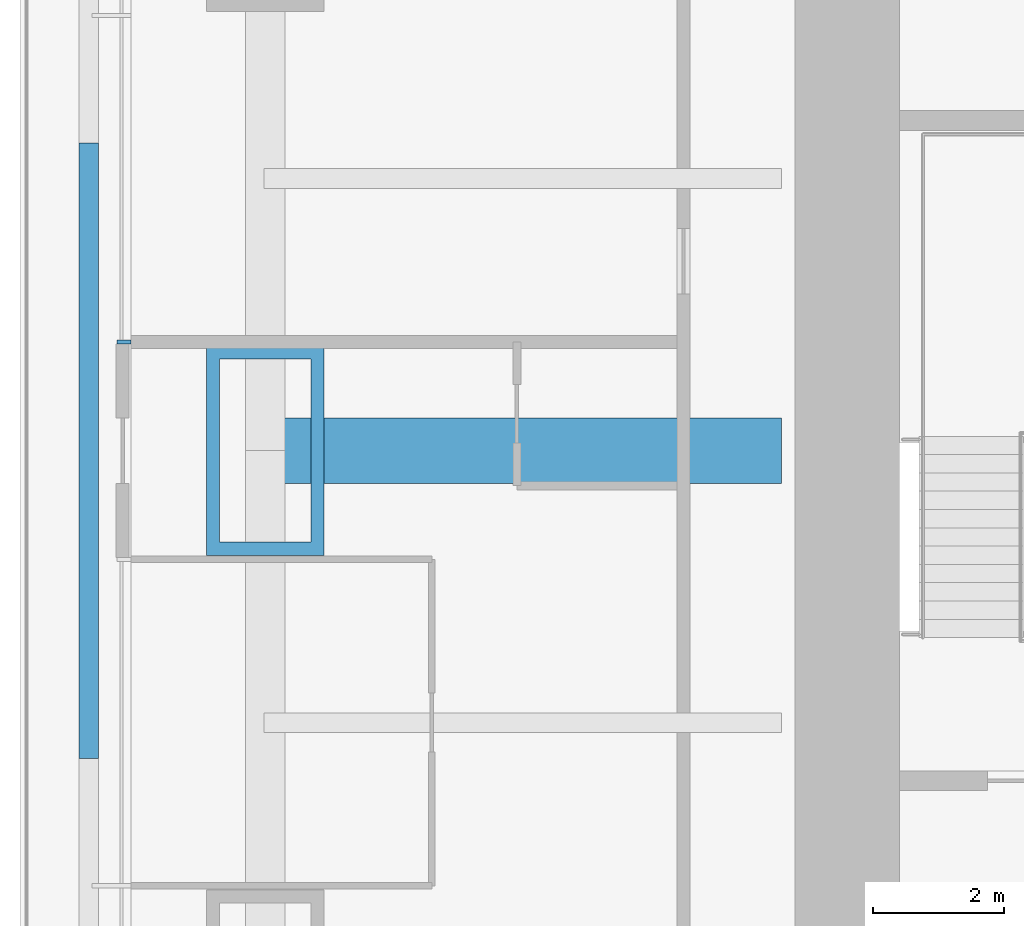
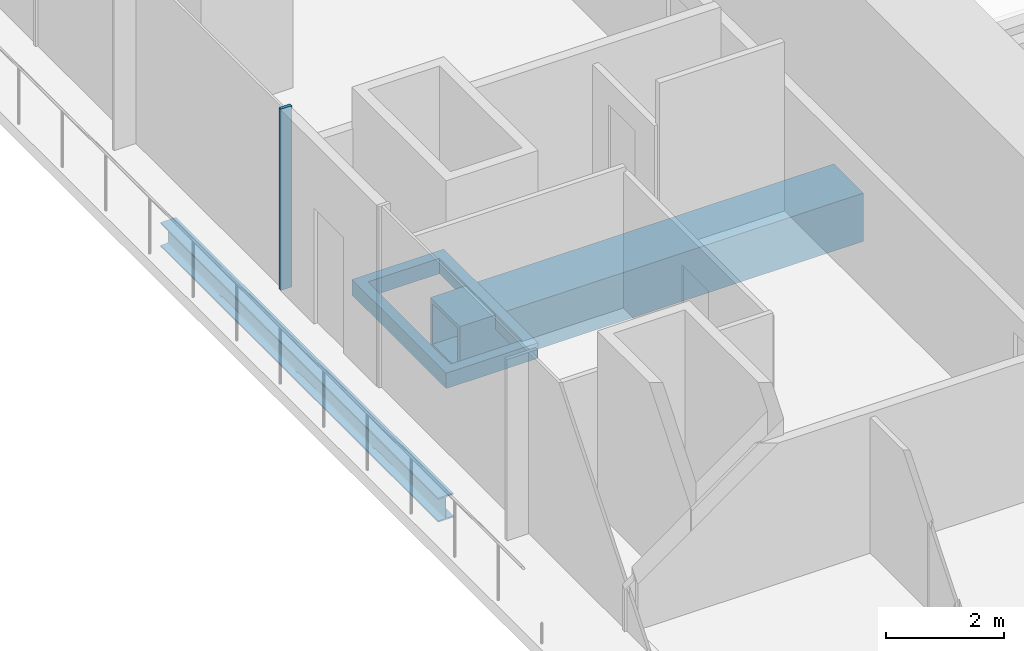
# One storey, part 3 of 15: 3 members, 1 beam, 1 element without a shape of its own.
"""IFC4 building model written with IfcOpenShell, lengths in metres."""

from ifc_helpers import new_model, si_unit, direction, frame, origin, origin_2d, place, context, subcontext, project, spatial, rectangle, hollow_rectangle, i_section, extrude, material, material_profile, profile_set, type_object, element, aggregate, save


model = new_model("IFC4")

# Units and contexts
model_context = context("Model", 3, precision=1e-05, world=origin(), true_north=direction((0.0, 1.0)))
body_context = subcontext(model_context, "Body", "Model", "MODEL_VIEW")
ifc_project = project(units=[si_unit("LENGTHUNIT", "METRE"), si_unit("AREAUNIT", "SQUARE_METRE"), si_unit("VOLUMEUNIT", "CUBIC_METRE"), si_unit("PLANEANGLEUNIT", "RADIAN"), si_unit("MASSUNIT", "GRAM", prefix="KILO")], contexts=[model_context])

# Site, building, storey
site_placement = place(None, origin())
site = spatial("IfcSite", under=ifc_project, at=site_placement, CompositionType="ELEMENT")
building_placement = place(site_placement, origin())
building = spatial("IfcBuilding", under=site, at=building_placement, Name="Khuree Lantern Residences", CompositionType="ELEMENT")
storey_placement = place(building_placement, frame((0.0, 0.0, 199.5)))
storey = spatial("IfcBuildingStorey", under=building, at=storey_placement, Name="L49", CompositionType="ELEMENT", Elevation=199.5)

# Curtain wall, member
ifc_material_1 = material(Name="Bronze anodised aluminium", Category="aluminium")
curtain_wall_type = type_object("IfcCurtainWallType", Name="CW-T1 TOWER FACE CURTAIN WALL", PredefinedType="USERDEFINED", material=ifc_material_1)
curtain_wall_placement = place(storey_placement, origin())
curtain_wall = element("IfcCurtainWall", 1, at=curtain_wall_placement, inside=storey, type_object=curtain_wall_type, Name="L49 WEST FACE CURTAIN WALL", ObjectType="Stick-built curtain wall", PredefinedType="USERDEFINED")
ifc_material_profile_1 = material_profile(ifc_material_1, rectangle(XDim=0.06494140625, YDim=0.219970703125, at=origin_2d()), Name="M1 65X220")
ifc_profile_set_1 = profile_set([ifc_material_profile_1], Name="Bronze anodised aluminium")
member_type_1 = type_object("IfcMemberType", Name="M1 BRONZE MULLION TOWER 65X220", PredefinedType="MULLION", material=ifc_profile_set_1)
member_1_placement = place(storey_placement, frame((-26.56005859375, 1.6640625, 0.0), z_axis=(0.0, 0.0, 1.0), x_axis=(0.0, -1.0, 0.0)))
member_1 = element("IfcMember", 2, at=member_1_placement, type_object=member_type_1, Name="L49 WEST FACE MULLION 37", PredefinedType="MULLION", context=body_context, shape_type="SweptSolid", body=[
    extrude(rectangle(XDim=0.06494140625, YDim=0.219970703125, at=origin_2d()), origin(), (0.0, 0.0, 1.0), 3.75),
])
aggregate(curtain_wall, [member_1])

# Members
ifc_material_2 = material(Name="Steel S355 CFT welded box", Category="steel")
ifc_material_profile_2 = material_profile(ifc_material_2, hollow_rectangle(XDim=3.199951171875, YDim=1.800048828125, WallThickness=0.199951171875, at=origin_2d()), Name="WELDED BOX 3200X1800X200")
ifc_profile_set_2 = profile_set([ifc_material_profile_2], Name="Steel S355 CFT welded box")
member_type_2 = type_object("IfcMemberType", Name="MN MEGA COLUMN NODE WELDED BOX 3200X1800X200", PredefinedType="MEMBER", material=ifc_profile_set_2)
member_2_placement = place(storey_placement, frame((-24.39990234375, 0.0, -0.550048828125), z_axis=(0.0, 0.0, 1.0), x_axis=(0.0, 1.0, 0.0)))
element("IfcMember", 3, at=member_2_placement, inside=storey, type_object=member_type_2, Name="Mega column node W3", PredefinedType="MEMBER", context=body_context, shape_type="SweptSolid", body=[
    extrude(hollow_rectangle(XDim=3.199951171875, YDim=1.800048828125, WallThickness=0.199951171875, at=origin_2d()), origin(), (0.0, 0.0, 1.0), 0.320068359375),
])
ifc_material_3 = material(Name="Steel S355", Category="steel")
ifc_material_profile_3 = material_profile(ifc_material_3, hollow_rectangle(XDim=1.0, YDim=1.0, WallThickness=0.080078125, at=origin_2d()), Name="WELDED BOX 1000X1000X80")
ifc_profile_set_3 = profile_set([ifc_material_profile_3], Name="Steel S355")
member_type_3 = type_object("IfcMemberType", Name="OT-49 OUTRIGGER TRUSS CHORD WELDED BOX 1000X1000X80", PredefinedType="CHORD", material=ifc_profile_set_3)
member_3_placement = place(storey_placement, frame((-24.39990234375, 0.0, -0.75), z_axis=(1.0, 0.0, 0.0), x_axis=(0.0, 1.0, 0.0)))
element("IfcMember", 4, at=member_3_placement, inside=storey, type_object=member_type_3, Name="Outrigger chord W3", PredefinedType="CHORD", context=body_context, shape_type="SweptSolid", body=[
    extrude(hollow_rectangle(XDim=1.0, YDim=1.0, WallThickness=0.080078125, at=origin_2d()), origin(), (0.0, 0.0, 1.0), 7.89990234375),
])

# Beam
ifc_material_profile_4 = material_profile(ifc_material_3, i_section(OverallWidth=0.300048828125, OverallDepth=0.5, WebThickness=0.014404296875, FlangeThickness=0.028076171875, FilletRadius=0.027099609375, at=origin_2d()), Name="HE 500 B")
ifc_profile_set_4 = profile_set([ifc_material_profile_4], Name="Steel S355")
beam_type = type_object("IfcBeamType", Name="TB1 TERRACE EDGE BEAM HE 500 B", PredefinedType="BEAM", material=ifc_profile_set_4)
beam_placement = place(storey_placement, frame((-27.10009765625, -4.705078125, -0.5), z_axis=(0.0, 1.0, 0.0), x_axis=(-1.0, 0.0, 0.0)))
element("IfcBeam", 5, at=beam_placement, inside=storey, type_object=beam_type, Name="Terrace edge beam W3", PredefinedType="BEAM", context=body_context, shape_type="SweptSolid", body=[
    extrude(i_section(OverallWidth=0.300048828125, OverallDepth=0.5, WebThickness=0.014404296875, FlangeThickness=0.028076171875, FilletRadius=0.027099609375, at=origin_2d()), origin(), (0.0, 0.0, 1.0), 9.41015625),
])

save(model, "model.ifc")
